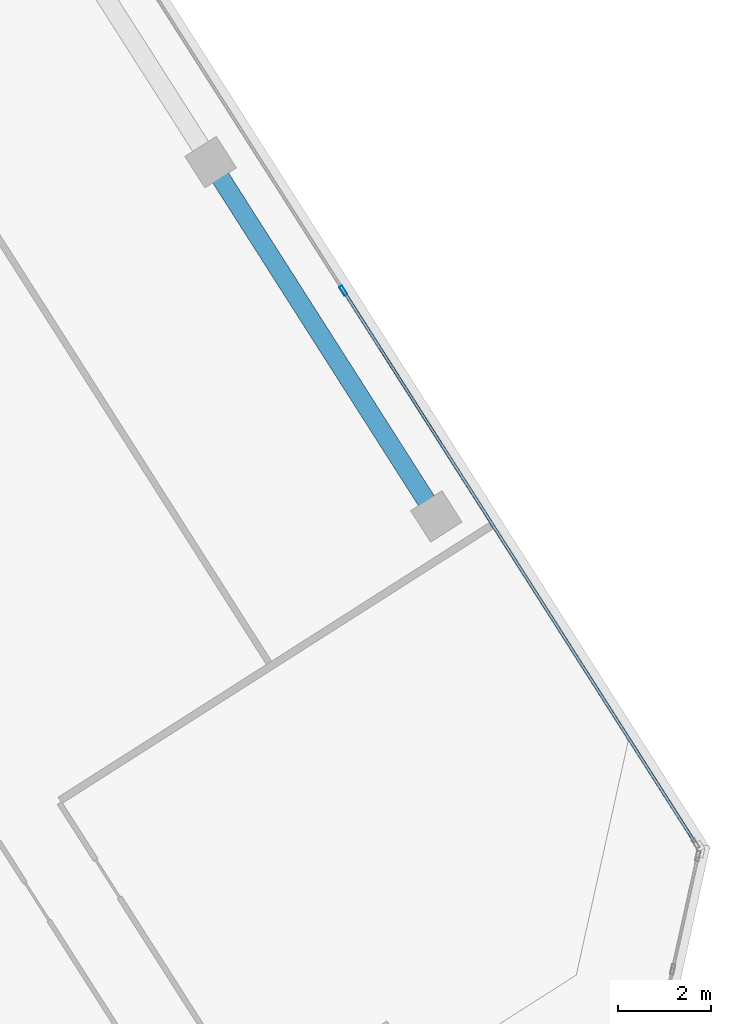
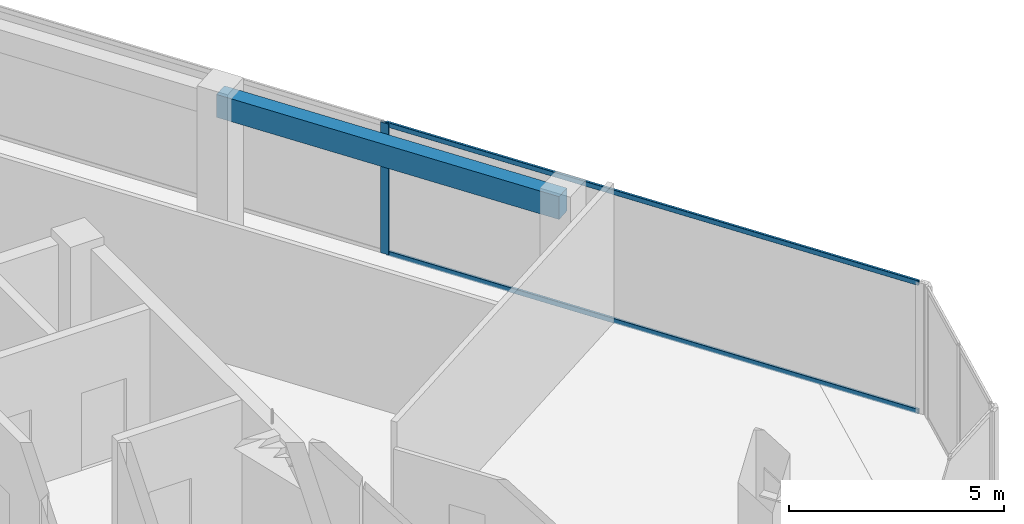
# One storey, part 7 of 15: 3 members, 1 beam, 1 element without a shape of its own.
"""IFC4 building model written with IfcOpenShell, lengths in metres."""

from ifc_helpers import new_model, si_unit, direction, frame, origin, origin_2d, place, context, subcontext, project, spatial, rectangle, hollow_rectangle, extrude, source, transform, mapped, material, material_profile, profile_set, type_object, element, aggregate, save


model = new_model("IFC4")

# Units and contexts
model_context = context("Model", 3, precision=1e-05, world=origin(), true_north=direction((0.0, 1.0)))
body_context = subcontext(model_context, "Body", "Model", "MODEL_VIEW")
ifc_project = project(units=[si_unit("LENGTHUNIT", "METRE"), si_unit("AREAUNIT", "SQUARE_METRE"), si_unit("VOLUMEUNIT", "CUBIC_METRE"), si_unit("PLANEANGLEUNIT", "RADIAN"), si_unit("MASSUNIT", "GRAM", prefix="KILO")], contexts=[model_context])

# Site, building, storey
site_placement = place(None, origin())
site = spatial("IfcSite", under=ifc_project, at=site_placement, CompositionType="ELEMENT")
building_placement = place(site_placement, origin())
building = spatial("IfcBuilding", under=site, at=building_placement, Name="Torre Montelarca", CompositionType="ELEMENT")
storey_placement = place(building_placement, frame((0.0, 0.0, 311.39990234375)))
storey = spatial("IfcBuildingStorey", under=building, at=storey_placement, Name="L70", CompositionType="ELEMENT", Elevation=311.39990234375)

# Beam
ifc_material_1 = material(Name="Concrete C40/50", Category="concrete")
ifc_material_profile_1 = material_profile(ifc_material_1, rectangle(XDim=0.39990234375, YDim=0.64990234375, at=origin_2d()), Name="RCB400X650", Category="concrete")
ifc_profile_set_1 = profile_set([ifc_material_profile_1], Name="Concrete C40/50")
beam_type = type_object("IfcBeamType", Name="BM-SP-RC650-EXT", PredefinedType="SPANDREL", material=ifc_profile_set_1)
shared_shape_1 = source(origin(), body_context, "Body", "SweptSolid", [
    extrude(rectangle(XDim=0.39990234375, YDim=0.64990234375, at=origin_2d()), origin(), (0.0, 0.0, 1.0), 9.0),
])
beam_placement = place(storey_placement, frame((32.396728515625, 43.092041015625, 3.635009765625), z_axis=(0.5372966855, -0.843393307865, 0.0), x_axis=(0.843393307865, 0.5372966855, 0.0)))
element("IfcBeam", 1, at=beam_placement, inside=storey, type_object=beam_type, Name="L70 Grid Girder X 18.0-27.0 at Y=47.1", PredefinedType="SPANDREL", context=body_context, shape_type="MappedRepresentation", body=[
    mapped(shared_shape_1, transform((0.0, 0.0, 0.0), scale=1.0)),
])

# Curtain wall, members
ifc_material_2 = material(Name="Insulated low-E laminated glass", Category="glass")
curtain_wall_type = type_object("IfcCurtainWallType", Name="CW-SYS-Z4", PredefinedType="USERDEFINED", material=ifc_material_2)
curtain_wall_placement = place(storey_placement, origin())
curtain_wall = element("IfcCurtainWall", 2, at=curtain_wall_placement, inside=storey, type_object=curtain_wall_type, Name="L70 Curtain Wall Run CW-T3-L70-E08-B1", ObjectType="UNITISED GLAZING", PredefinedType="USERDEFINED")
ifc_material_3 = material(Name="Anodised aluminium AA 6063-T6", Category="aluminium")
ifc_material_profile_2 = material_profile(ifc_material_3, hollow_rectangle(XDim=0.074951171875, YDim=0.219970703125, WallThickness=0.0048828125, InnerFilletRadius=0.0048828125, OuterFilletRadius=0.010009765625, at=origin_2d()), Name="ALU75X220X5", Category="aluminium")
ifc_profile_set_2 = profile_set([ifc_material_profile_2], Name="Anodised aluminium AA 6063-T6")
member_type_1 = type_object("IfcMemberType", Name="CWM-ALU220", PredefinedType="MULLION", material=ifc_profile_set_2)
shared_shape_2 = source(origin(), body_context, "Body", "SweptSolid", [
    extrude(hollow_rectangle(XDim=0.074951171875, YDim=0.219970703125, WallThickness=0.0048828125, InnerFilletRadius=0.0048828125, OuterFilletRadius=0.010009765625, at=origin_2d()), origin(), (0.0, 0.0, 1.0), 3.72021484375),
])
member_1_placement = place(storey_placement, frame((35.241455078125, 40.339111328125, 0.0), z_axis=(0.0, 0.0, 1.0), x_axis=(-0.843391094882, -0.537300159197, 0.0)))
member_1 = element("IfcMember", 3, at=member_1_placement, type_object=member_type_1, Name="CW mullion 2", PredefinedType="MULLION", context=body_context, shape_type="MappedRepresentation", body=[
    mapped(shared_shape_2, transform((0.0, 0.0, 0.0), scale=1.0)),
])
ifc_material_profile_3 = material_profile(ifc_material_3, hollow_rectangle(XDim=0.06494140625, YDim=0.139892578125, WallThickness=0.00390625, InnerFilletRadius=0.00390625, OuterFilletRadius=0.008056640625, at=origin_2d()), Name="ALU65X140X4", Category="aluminium")
ifc_profile_set_3 = profile_set([ifc_material_profile_3], Name="Anodised aluminium AA 6063-T6")
member_type_2 = type_object("IfcMemberType", Name="CWT-ALU140", PredefinedType="USERDEFINED", material=ifc_profile_set_3)
shared_shape_3 = source(origin(), body_context, "Body", "SweptSolid", [
    extrude(hollow_rectangle(XDim=0.06494140625, YDim=0.139892578125, WallThickness=0.00390625, InnerFilletRadius=0.00390625, OuterFilletRadius=0.008056640625, at=origin_2d()), origin(), (0.0, 0.0, 1.0), 13.971923828125),
])
member_2_placement = place(storey_placement, frame((42.7685546875, 28.52392578125, 0.03271484375), z_axis=(-0.537301681446, 0.843390125099, 0.0), x_axis=(-0.843390125099, -0.537301681446, 0.0)))
member_2 = element("IfcMember", 4, at=member_2_placement, type_object=member_type_2, Name="CW transom 1.1", ObjectType="TRANSOM", PredefinedType="USERDEFINED", context=body_context, shape_type="MappedRepresentation", body=[
    mapped(shared_shape_3, transform((0.0, 0.0, 0.0), scale=1.0)),
])
member_3_placement = place(storey_placement, frame((42.7685546875, 28.52392578125, 3.6875), z_axis=(-0.537301681446, 0.843390125099, 0.0), x_axis=(-0.843390125099, -0.537301681446, 0.0)))
member_3 = element("IfcMember", 5, at=member_3_placement, type_object=member_type_2, Name="CW transom 1.2", ObjectType="TRANSOM", PredefinedType="USERDEFINED", context=body_context, shape_type="MappedRepresentation", body=[
    mapped(shared_shape_3, transform((0.0, 0.0, 0.0), scale=1.0)),
])
aggregate(curtain_wall, [member_1, member_2, member_3])

save(model, "model.ifc")
